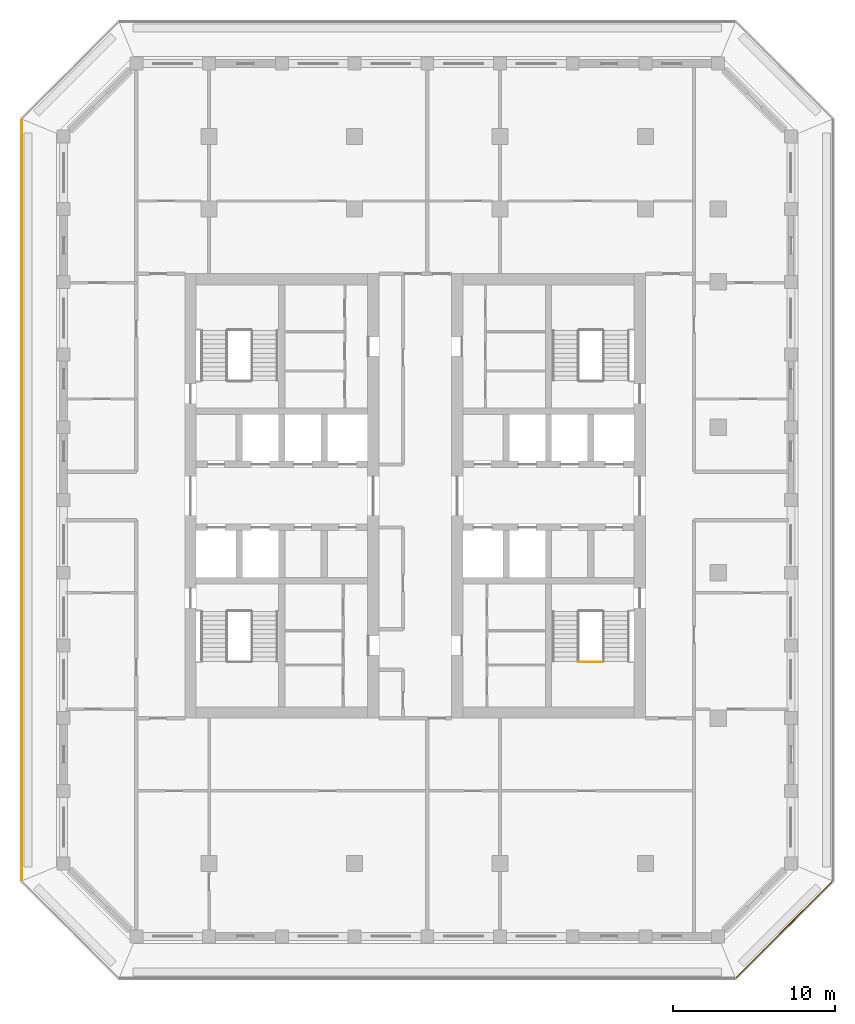
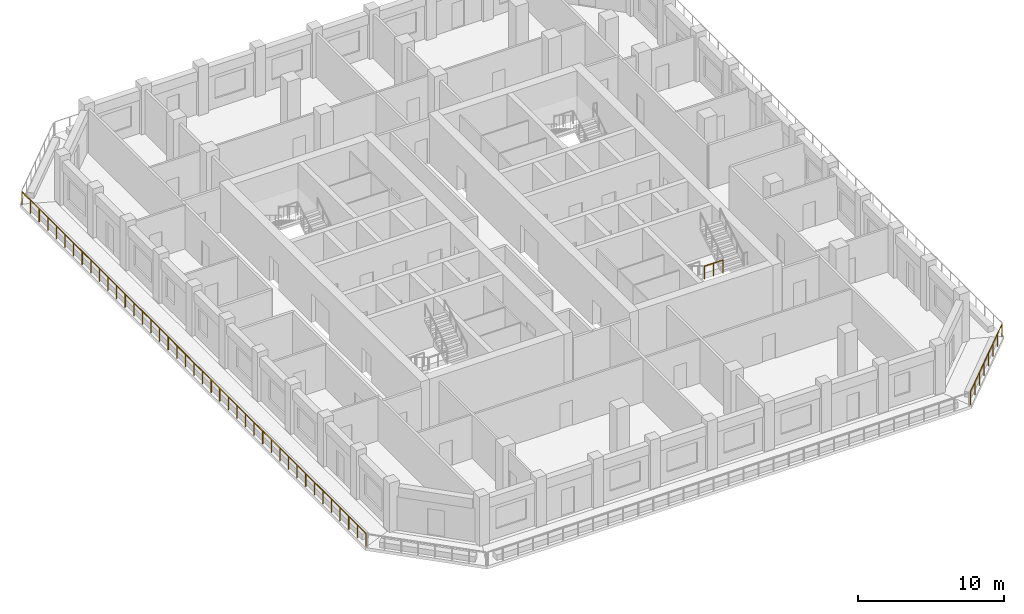
# One storey, part 11 of 17: 3 railings.
"""IFC4 building model written with IfcOpenShell, lengths in metres."""

from ifc_helpers import new_model, si_unit, direction, frame, origin, origin_2d, place, context, subcontext, project, spatial, circle, extrude, material, type_object, element, save


model = new_model("IFC4")

# Units and contexts
model_context = context("Model", 3, precision=1e-05, world=origin(), true_north=direction((0.0, 1.0)))
body_context = subcontext(model_context, "Body", "Model", "MODEL_VIEW")
ifc_project = project(units=[si_unit("LENGTHUNIT", "METRE"), si_unit("AREAUNIT", "SQUARE_METRE"), si_unit("VOLUMEUNIT", "CUBIC_METRE"), si_unit("PLANEANGLEUNIT", "RADIAN"), si_unit("MASSUNIT", "GRAM", prefix="KILO")], contexts=[model_context])

# Site, building, storey
site_placement = place(None, origin())
site = spatial("IfcSite", under=ifc_project, at=site_placement, CompositionType="ELEMENT")
building_placement = place(site_placement, origin())
building = spatial("IfcBuilding", under=site, at=building_placement, Name="Corbel Stack Research Tower", CompositionType="ELEMENT")
storey_placement = place(building_placement, frame((0.0, 0.0, 252.10009765625)))
storey = spatial("IfcBuildingStorey", under=building, at=storey_placement, Name="L57", CompositionType="ELEMENT", Elevation=252.10009765625)

# Railings
ifc_material_1 = material(Name="Steel S355", Category="steel")
railing_type_1 = type_object("IfcRailingType", Name="Stair guard 1100", PredefinedType="GUARDRAIL", material=ifc_material_1)
railing_1_placement = place(storey_placement, frame((13.89990234375, -5.530029296875, 2.0498046875)))
element("IfcRailing", 1, at=railing_1_placement, inside=storey, type_object=railing_type_1, Name="L57 ST-E1 stair guard 2", PredefinedType="GUARDRAIL", context=body_context, shape_type="SweptSolid", body=[
    extrude(circle(Radius=0.02392578125, at=origin_2d()), frame((0.0, 0.0, 1.076171875), z_axis=(1.0, 0.0, 0.0), x_axis=(0.0, 1.0, 0.0)), (0.0, 0.0, 1.0), 1.4501953125),
    extrude(circle(Radius=0.02099609375, at=origin_2d()), origin(), (0.0, 0.0, 1.0), 1.052001953125),
    extrude(circle(Radius=0.02099609375, at=origin_2d()), frame((0.72509765625, 0.0, 0.0)), (0.0, 0.0, 1.0), 1.052001953125),
    extrude(circle(Radius=0.02099609375, at=origin_2d()), frame((1.4501953125, 0.0, 0.0)), (0.0, 0.0, 1.0), 1.052001953125),
])
ifc_material_2 = material(Name="Powder-coated steel guard", Category="steel")
railing_type_2 = type_object("IfcRailingType", Name="Steel and glass guard 1100", PredefinedType="GUARDRAIL", material=ifc_material_2)
railing_2_placement = place(storey_placement, frame((23.627685546875, -25.04931640625, 0.0)))
element("IfcRailing", 2, at=railing_2_placement, inside=storey, type_object=railing_type_2, Name="Loggia guard L57 SE", PredefinedType="GUARDRAIL", context=body_context, shape_type="SweptSolid", body=[
    extrude(circle(Radius=0.02392578125, at=origin_2d()), frame((0.0, 0.0, 1.076171875), z_axis=(0.707106781187, 0.707106781187, 0.0), x_axis=(-0.707106781187, 0.707106781187, 0.0)), (0.0, 0.0, 1.0), 8.37451171875),
    extrude(circle(Radius=0.02099609375, at=origin_2d()), origin(), (0.0, 0.0, 1.0), 1.052001953125),
    extrude(circle(Radius=0.02099609375, at=origin_2d()), frame((0.845947265625, 0.845947265625, 0.0)), (0.0, 0.0, 1.0), 1.052001953125),
    extrude(circle(Radius=0.02099609375, at=origin_2d()), frame((1.69189453125, 1.69189453125, 0.0)), (0.0, 0.0, 1.0), 1.052001953125),
    extrude(circle(Radius=0.02099609375, at=origin_2d()), frame((2.537841796875, 2.537841796875, 0.0)), (0.0, 0.0, 1.0), 1.052001953125),
    extrude(circle(Radius=0.02099609375, at=origin_2d()), frame((3.3837890625, 3.3837890625, 0.0)), (0.0, 0.0, 1.0), 1.052001953125),
    extrude(circle(Radius=0.02099609375, at=origin_2d()), frame((4.229736328125, 4.229736328125, 0.0)), (0.0, 0.0, 1.0), 1.052001953125),
    extrude(circle(Radius=0.02099609375, at=origin_2d()), frame((5.07568359375, 5.07568359375, 0.0)), (0.0, 0.0, 1.0), 1.052001953125),
    extrude(circle(Radius=0.02099609375, at=origin_2d()), frame((5.921630859375, 5.921630859375, 0.0)), (0.0, 0.0, 1.0), 1.052001953125),
])
railing_3_placement = place(storey_placement, frame((-20.60009765625, 28.00537109375, 0.0)))
element("IfcRailing", 3, at=railing_3_placement, inside=storey, type_object=railing_type_2, Name="Loggia guard L57 W", PredefinedType="GUARDRAIL", context=body_context, shape_type="SweptSolid", body=[
    extrude(circle(Radius=0.02392578125, at=origin_2d()), frame((0.0, 0.0, 1.076171875), z_axis=(0.0, -1.0, 0.0), x_axis=(1.0, 0.0, 0.0)), (0.0, 0.0, 1.0), 47.0107421875),
    extrude(circle(Radius=0.02099609375, at=origin_2d()), origin(), (0.0, 0.0, 1.0), 1.052001953125),
    extrude(circle(Radius=0.02099609375, at=origin_2d()), frame((0.0, -1.17529296875, 0.0)), (0.0, 0.0, 1.0), 1.052001953125),
    extrude(circle(Radius=0.02099609375, at=origin_2d()), frame((0.0, -2.3505859375, 0.0)), (0.0, 0.0, 1.0), 1.052001953125),
    extrude(circle(Radius=0.02099609375, at=origin_2d()), frame((0.0, -3.52587890625, 0.0)), (0.0, 0.0, 1.0), 1.052001953125),
    extrude(circle(Radius=0.02099609375, at=origin_2d()), frame((0.0, -4.701171875, 0.0)), (0.0, 0.0, 1.0), 1.052001953125),
    extrude(circle(Radius=0.02099609375, at=origin_2d()), frame((0.0, -5.87646484375, 0.0)), (0.0, 0.0, 1.0), 1.052001953125),
    extrude(circle(Radius=0.02099609375, at=origin_2d()), frame((0.0, -7.051513671875, 0.0)), (0.0, 0.0, 1.0), 1.052001953125),
    extrude(circle(Radius=0.02099609375, at=origin_2d()), frame((0.0, -8.226806640625, 0.0)), (0.0, 0.0, 1.0), 1.052001953125),
    extrude(circle(Radius=0.02099609375, at=origin_2d()), frame((0.0, -9.402099609375, 0.0)), (0.0, 0.0, 1.0), 1.052001953125),
    extrude(circle(Radius=0.02099609375, at=origin_2d()), frame((0.0, -10.577392578125, 0.0)), (0.0, 0.0, 1.0), 1.052001953125),
    extrude(circle(Radius=0.02099609375, at=origin_2d()), frame((0.0, -11.752685546875, 0.0)), (0.0, 0.0, 1.0), 1.052001953125),
    extrude(circle(Radius=0.02099609375, at=origin_2d()), frame((0.0, -12.927978515625, 0.0)), (0.0, 0.0, 1.0), 1.052001953125),
    extrude(circle(Radius=0.02099609375, at=origin_2d()), frame((0.0, -14.103271484375, 0.0)), (0.0, 0.0, 1.0), 1.052001953125),
    extrude(circle(Radius=0.02099609375, at=origin_2d()), frame((0.0, -15.278564453125, 0.0)), (0.0, 0.0, 1.0), 1.052001953125),
    extrude(circle(Radius=0.02099609375, at=origin_2d()), frame((0.0, -16.453857421875, 0.0)), (0.0, 0.0, 1.0), 1.052001953125),
    extrude(circle(Radius=0.02099609375, at=origin_2d()), frame((0.0, -17.62890625, 0.0)), (0.0, 0.0, 1.0), 1.052001953125),
    extrude(circle(Radius=0.02099609375, at=origin_2d()), frame((0.0, -18.80419921875, 0.0)), (0.0, 0.0, 1.0), 1.052001953125),
    extrude(circle(Radius=0.02099609375, at=origin_2d()), frame((0.0, -19.9794921875, 0.0)), (0.0, 0.0, 1.0), 1.052001953125),
    extrude(circle(Radius=0.02099609375, at=origin_2d()), frame((0.0, -21.15478515625, 0.0)), (0.0, 0.0, 1.0), 1.052001953125),
    extrude(circle(Radius=0.02099609375, at=origin_2d()), frame((0.0, -22.330078125, 0.0)), (0.0, 0.0, 1.0), 1.052001953125),
    extrude(circle(Radius=0.02099609375, at=origin_2d()), frame((0.0, -23.50537109375, 0.0)), (0.0, 0.0, 1.0), 1.052001953125),
    extrude(circle(Radius=0.02099609375, at=origin_2d()), frame((0.0, -24.6806640625, 0.0)), (0.0, 0.0, 1.0), 1.052001953125),
    extrude(circle(Radius=0.02099609375, at=origin_2d()), frame((0.0, -25.85595703125, 0.0)), (0.0, 0.0, 1.0), 1.052001953125),
    extrude(circle(Radius=0.02099609375, at=origin_2d()), frame((0.0, -27.03125, 0.0)), (0.0, 0.0, 1.0), 1.052001953125),
    extrude(circle(Radius=0.02099609375, at=origin_2d()), frame((0.0, -28.20654296875, 0.0)), (0.0, 0.0, 1.0), 1.052001953125),
    extrude(circle(Radius=0.02099609375, at=origin_2d()), frame((0.0, -29.3818359375, 0.0)), (0.0, 0.0, 1.0), 1.052001953125),
    extrude(circle(Radius=0.02099609375, at=origin_2d()), frame((0.0, -30.556884765625, 0.0)), (0.0, 0.0, 1.0), 1.052001953125),
    extrude(circle(Radius=0.02099609375, at=origin_2d()), frame((0.0, -31.732177734375, 0.0)), (0.0, 0.0, 1.0), 1.052001953125),
    extrude(circle(Radius=0.02099609375, at=origin_2d()), frame((0.0, -32.907470703125, 0.0)), (0.0, 0.0, 1.0), 1.052001953125),
    extrude(circle(Radius=0.02099609375, at=origin_2d()), frame((0.0, -34.082763671875, 0.0)), (0.0, 0.0, 1.0), 1.052001953125),
    extrude(circle(Radius=0.02099609375, at=origin_2d()), frame((0.0, -35.258056640625, 0.0)), (0.0, 0.0, 1.0), 1.052001953125),
    extrude(circle(Radius=0.02099609375, at=origin_2d()), frame((0.0, -36.433349609375, 0.0)), (0.0, 0.0, 1.0), 1.052001953125),
    extrude(circle(Radius=0.02099609375, at=origin_2d()), frame((0.0, -37.608642578125, 0.0)), (0.0, 0.0, 1.0), 1.052001953125),
    extrude(circle(Radius=0.02099609375, at=origin_2d()), frame((0.0, -38.783935546875, 0.0)), (0.0, 0.0, 1.0), 1.052001953125),
    extrude(circle(Radius=0.02099609375, at=origin_2d()), frame((0.0, -39.959228515625, 0.0)), (0.0, 0.0, 1.0), 1.052001953125),
    extrude(circle(Radius=0.02099609375, at=origin_2d()), frame((0.0, -41.13427734375, 0.0)), (0.0, 0.0, 1.0), 1.052001953125),
    extrude(circle(Radius=0.02099609375, at=origin_2d()), frame((0.0, -42.3095703125, 0.0)), (0.0, 0.0, 1.0), 1.052001953125),
    extrude(circle(Radius=0.02099609375, at=origin_2d()), frame((0.0, -43.48486328125, 0.0)), (0.0, 0.0, 1.0), 1.052001953125),
    extrude(circle(Radius=0.02099609375, at=origin_2d()), frame((0.0, -44.66015625, 0.0)), (0.0, 0.0, 1.0), 1.052001953125),
    extrude(circle(Radius=0.02099609375, at=origin_2d()), frame((0.0, -45.83544921875, 0.0)), (0.0, 0.0, 1.0), 1.052001953125),
    extrude(circle(Radius=0.02099609375, at=origin_2d()), frame((0.0, -47.0107421875, 0.0)), (0.0, 0.0, 1.0), 1.052001953125),
])

save(model, "model.ifc")
